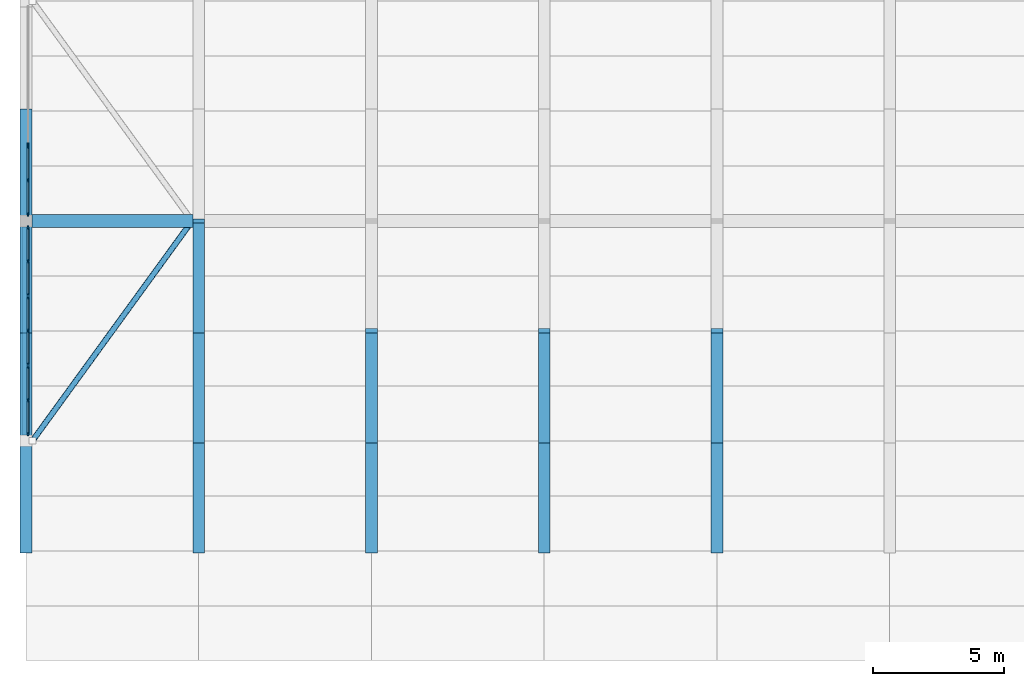
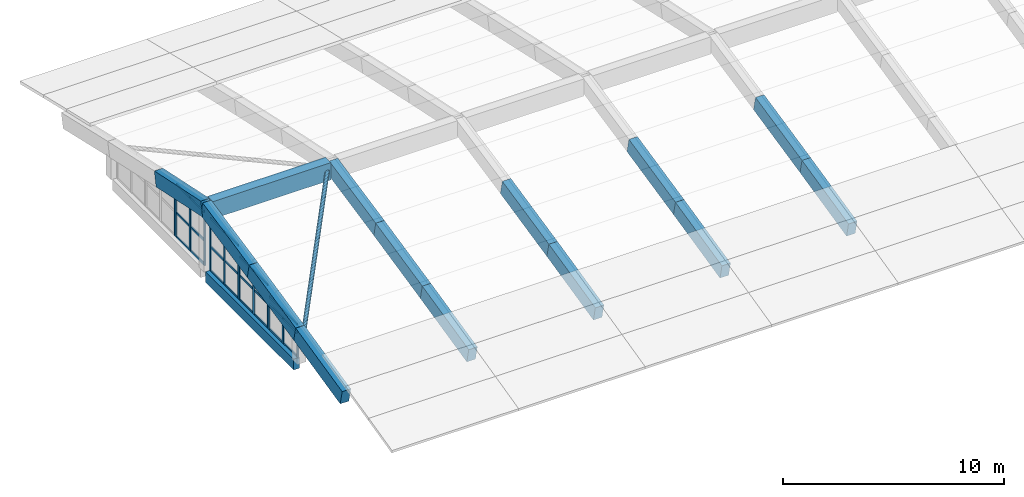
# One storey, part 3 of 47: 38 members, 15 beams, 5 elements without a shape of their own.
"""IFC4 building model written with IfcOpenShell, lengths in metres."""

import ifcopenshell
import ifcopenshell.guid

model = None  # the IFC model being written
_history = None  # IfcOwnerHistory: only IFC2X3 demands one
_inside = {}  # id of a spatial element -> (the spatial element, [elements in it])
_under = {}  # id of a project, library or spatial element -> (it, [spatial elements below it])
_declared = {}  # id of a project -> (the project, [libraries it declares])
_typed = {}  # id of a type object -> (the type object, [elements of that type])
_made_of = {}  # id of a material, layer set ... -> (it, [elements and type objects made of it])


def new_model(schema):
    """Start an empty IFC model of exactly this schema.

    Asked for "IFC4X3", IfcOpenShell would pick the latest addendum, in which some entities
    have other attributes; the version numbers below select the first issue.
    IFC2X3 requires an IfcOwnerHistory on every rooted entity: one is made here for all.
    """
    global model, _history
    if schema == "IFC4X3":
        model = ifcopenshell.file(schema_version=(4, 3, 0, 0))
    else:
        model = ifcopenshell.file(schema=schema)
    _inside.clear()
    _under.clear()
    _declared.clear()
    _typed.clear()
    _made_of.clear()
    _history = None
    if model.schema == "IFC2X3":
        org = make("IfcOrganization", Name="unknown")
        user = make(
            "IfcPersonAndOrganization",
            ThePerson=make("IfcPerson", FamilyName="unknown"),
            TheOrganization=org,
        )
        app = make(
            "IfcApplication",
            ApplicationDeveloper=org,
            Version="unknown",
            ApplicationFullName="unknown",
            ApplicationIdentifier="unknown",
        )
        _history = make(
            "IfcOwnerHistory",
            OwningUser=user,
            OwningApplication=app,
            ChangeAction="ADDED",
            CreationDate=0,
        )
    return model


def make(cls, **values):
    """One entity of the class cls with the attributes given. An attribute that is None is left unset."""
    return model.create_entity(
        cls, **{name: value for name, value in values.items() if value is not None}
    )


def rooted(cls, **values):
    """An entity with a GlobalId (a new one), such as an element, a storey or a relation."""
    return make(cls, GlobalId=ifcopenshell.guid.new(), OwnerHistory=_history, **values)


def si_unit(unit_type, name, prefix=None):
    """IfcSIUnit, for example si_unit("LENGTHUNIT", "METRE", prefix="MILLI")."""
    return make("IfcSIUnit", UnitType=unit_type, Prefix=prefix, Name=name)


def assignment(units):
    """IfcUnitAssignment: the units of a project."""
    return None if units is None else make("IfcUnitAssignment", Units=units)


def point(xyz):
    """IfcCartesianPoint."""
    return None if xyz is None else make("IfcCartesianPoint", Coordinates=xyz)


def direction(xyz):
    """IfcDirection."""
    return None if xyz is None else make("IfcDirection", DirectionRatios=xyz)


def frame(location, z_axis=None, x_axis=None):
    """IfcAxis2Placement3D, a coordinate frame: its origin and axes. An axis left out is left unset."""
    return make(
        "IfcAxis2Placement3D",
        Location=point(location),
        Axis=direction(z_axis),
        RefDirection=direction(x_axis),
    )


def frame_2d(location, x_axis=None):
    """IfcAxis2Placement2D, a coordinate frame in the plane: its origin and x axis."""
    return make(
        "IfcAxis2Placement2D", Location=point(location), RefDirection=direction(x_axis)
    )


def origin():
    """The frame at (0, 0, 0) with its axes left unset."""
    return frame((0.0, 0.0, 0.0))


def origin_2d():
    """The frame at (0, 0) in the plane with its x axis left unset."""
    return frame_2d((0.0, 0.0))


def place(relative_to, where):
    """IfcLocalPlacement: puts the frame where relative to a parent placement (None: the world)."""
    return make(
        "IfcLocalPlacement", PlacementRelTo=relative_to, RelativePlacement=where
    )


def context(
    kind, dimensions, precision=None, world=None, true_north=None, identifier=None
):
    """IfcGeometricRepresentationContext, for example the 3D "Model" context."""
    return make(
        "IfcGeometricRepresentationContext",
        ContextIdentifier=identifier,
        ContextType=kind,
        CoordinateSpaceDimension=dimensions,
        Precision=precision,
        WorldCoordinateSystem=world,
        TrueNorth=true_north,
    )


def subcontext(parent, identifier, kind, view, scale=None):
    """IfcGeometricRepresentationSubContext, for example "Body" below "Model"."""
    return make(
        "IfcGeometricRepresentationSubContext",
        ContextIdentifier=identifier,
        ContextType=kind,
        ParentContext=parent,
        TargetScale=scale,
        TargetView=view,
    )


def project(units=None, contexts=None):
    """IfcProject with its units and contexts."""
    return rooted(
        "IfcProject",
        Name="project",
        RepresentationContexts=contexts,
        UnitsInContext=assignment(units),
    )


def spatial(cls, under=None, at=None, **own):
    """A site, building, storey or space (cls), placed at a placement, below another one or the project."""
    s = rooted(cls, ObjectPlacement=at, **own)
    if under is not None:
        _under.setdefault(under.id(), (under, []))[1].append(s)
    return s


def profile(cls, at=None, kind="AREA", **sizes):
    """A parametric profile (cls). Its sizes go by their IFC names, for example OverallWidth=200.0."""
    return make(cls, ProfileType=kind, Position=at, **sizes)


def rectangle(**sizes):
    """IfcRectangleProfileDef."""
    return profile("IfcRectangleProfileDef", **sizes)


def hollow_circle(**sizes):
    """IfcCircleHollowProfileDef."""
    return profile("IfcCircleHollowProfileDef", **sizes)


def extrude(swept, where, along, depth):
    """IfcExtrudedAreaSolid: the profile swept, set in the frame where, extruded along a direction by depth."""
    return make(
        "IfcExtrudedAreaSolid",
        SweptArea=swept,
        Position=where,
        ExtrudedDirection=direction(along),
        Depth=depth,
    )


def shape(context_of_items, identifier, shape_type, items):
    """IfcShapeRepresentation: the items that make up one representation, for example the "Body"."""
    return make(
        "IfcShapeRepresentation",
        ContextOfItems=context_of_items,
        RepresentationIdentifier=identifier,
        RepresentationType=shape_type,
        Items=items,
    )


def material(Name=None, Category=None):
    """IfcMaterial."""
    return make("IfcMaterial", Name=Name, Category=Category)


def material_profile(
    of_material, cross_section, Name=None, Category=None, Priority=None
):
    """IfcMaterialProfile: a cross section and its material."""
    return make(
        "IfcMaterialProfile",
        Name=Name,
        Material=of_material,
        Profile=cross_section,
        Priority=Priority,
        Category=Category,
    )


def profile_set(profiles, Name=None, composite=None):
    """IfcMaterialProfileSet."""
    return make(
        "IfcMaterialProfileSet",
        Name=Name,
        MaterialProfiles=profiles,
        CompositeProfile=composite,
    )


def made_of(thing, what):
    """Note that an element or type object is made of a material, layer set ...; save() writes the relation."""
    if what is not None:
        _made_of.setdefault(what.id(), (what, []))[1].append(thing)
    return thing


def type_object(cls, material=None, **own):
    """A type object (cls), such as IfcWallType, which elements share."""
    return made_of(rooted(cls, **own), material)


def element(
    cls,
    number,
    at=None,
    inside=None,
    cuts=None,
    type_object=None,
    material=None,
    context=None,
    identifier="Body",
    shape_type=None,
    held_by="IfcProductDefinitionShape",
    body=None,
    shapes=None,
    **own,
):
    """One element of the class cls, such as IfcWall. Its Tag is "e" and its number.

    at: its placement. inside: the storey or other place that contains it. cuts: it is an
    opening in that element (IfcRelVoidsElement). A single representation is given by context,
    identifier, shape_type and body (its items); several are given by shapes. held_by: the class
    of the entity that holds the representations. save() writes the other relations.
    """
    e = rooted(cls, Tag="e%d" % number, ObjectPlacement=at, **own)
    if body is not None:
        shapes = [shape(context, identifier, shape_type, body)]
    if shapes is not None:
        e.Representation = make(held_by, Representations=shapes)
    if inside is not None:
        _inside.setdefault(inside.id(), (inside, []))[1].append(e)
    if cuts is not None:
        rooted(
            "IfcRelVoidsElement", RelatingBuildingElement=cuts, RelatedOpeningElement=e
        )
    if type_object is not None:
        _typed.setdefault(type_object.id(), (type_object, []))[1].append(e)
    return made_of(e, material)


def aggregate(whole, parts):
    """IfcRelAggregates: a whole, such as a stair, and the parts it consists of."""
    return rooted("IfcRelAggregates", RelatingObject=whole, RelatedObjects=parts)


def save(model, path):
    """Write the relations noted so far, then the file.

    IfcRelAggregates (storeys below a building ...), IfcRelContainedInSpatialStructure (elements
    in a storey), IfcRelDefinesByType, IfcRelAssociatesMaterial and IfcRelDeclares: one each for
    every whole, place, type object, material and project.
    """
    for whole, parts in _under.values():
        aggregate(whole, parts)
    for where, things in _inside.values():
        rooted(
            "IfcRelContainedInSpatialStructure",
            RelatedElements=things,
            RelatingStructure=where,
        )
    for kind, things in _typed.values():
        rooted("IfcRelDefinesByType", RelatedObjects=things, RelatingType=kind)
    for what, things in _made_of.values():
        rooted("IfcRelAssociatesMaterial", RelatedObjects=things, RelatingMaterial=what)
    for by, libraries in _declared.values():
        rooted("IfcRelDeclares", RelatingContext=by, RelatedDefinitions=libraries)
    model.write(path)


model = new_model("IFC4")

# Units and contexts
model_context = context("Model", 3, precision=1e-05, world=origin(), true_north=direction((0.0, 1.0)))
body_context = subcontext(model_context, "Body", "Model", "MODEL_VIEW")
ifc_project = project(units=[si_unit("LENGTHUNIT", "METRE"), si_unit("AREAUNIT", "SQUARE_METRE"), si_unit("VOLUMEUNIT", "CUBIC_METRE"), si_unit("PLANEANGLEUNIT", "RADIAN"), si_unit("MASSUNIT", "GRAM", prefix="KILO")], contexts=[model_context])

# Site, building, storey
site_placement = place(None, origin())
site = spatial("IfcSite", under=ifc_project, at=site_placement, CompositionType="ELEMENT")
building_placement = place(site_placement, origin())
building = spatial("IfcBuilding", under=site, at=building_placement, Name="Qaldarim Faculty of Natural and Applied Sciences", CompositionType="ELEMENT")
storey_placement = place(building_placement, frame((0.0, 0.0, 22.800048828125)))
storey = spatial("IfcBuildingStorey", under=building, at=storey_placement, Name="L05", CompositionType="ELEMENT", Elevation=22.800048828125)

# Curtain wall, members
ifc_material_1 = material(Name="Anodised aluminium AW-6063", Category="aluminium")
curtain_wall_type = type_object("IfcCurtainWallType", Name="CurtainWallSystem-M1500", PredefinedType="USERDEFINED", material=ifc_material_1)
curtain_wall_1_placement = place(storey_placement, origin())
curtain_wall_1 = element("IfcCurtainWall", 1, at=curtain_wall_1_placement, inside=storey, type_object=curtain_wall_type, Name="Curtain wall CW-GABLE-L05-W-Y06-1", ObjectType="STICK CURTAIN WALL", PredefinedType="USERDEFINED")
ifc_material_profile_1 = material_profile(ifc_material_1, rectangle(XDim=0.06005859375, YDim=0.14990234375, at=origin_2d()), Name="ALU-M60x150")
ifc_profile_set_1 = profile_set([ifc_material_profile_1], Name="Anodised aluminium AW-6063")
member_type_1 = type_object("IfcMemberType", Name="Mullion-ALU60x150", PredefinedType="MULLION", material=ifc_profile_set_1)
member_1_placement = place(storey_placement, frame((0.080078125, 44.8349609375, 0.0), z_axis=(0.0, 0.0, 1.0), x_axis=(1.0, 0.0, 0.0)))
member_1 = element("IfcMember", 2, at=member_1_placement, type_object=member_type_1, Name="Mullion 1 of CW-GABLE-L05-W-Y06-1", PredefinedType="MULLION", context=body_context, shape_type="SweptSolid", body=[
    extrude(rectangle(XDim=0.06005859375, YDim=0.14990234375, at=origin_2d()), origin(), (0.0, 0.0, 1.0), 1.829833984375),
])
member_2_placement = place(storey_placement, frame((0.080078125, 43.547607421875, 0.0), z_axis=(0.0, 0.0, 1.0), x_axis=(1.0, 0.0, 0.0)))
member_2 = element("IfcMember", 3, at=member_2_placement, type_object=member_type_1, Name="Mullion 2 of CW-GABLE-L05-W-Y06-1", PredefinedType="MULLION", context=body_context, shape_type="SweptSolid", body=[
    extrude(rectangle(XDim=0.06005859375, YDim=0.14990234375, at=origin_2d()), origin(), (0.0, 0.0, 1.0), 1.829833984375),
])
member_3_placement = place(storey_placement, frame((0.080078125, 42.260009765625, 0.0), z_axis=(0.0, 0.0, 1.0), x_axis=(1.0, 0.0, 0.0)))
member_3 = element("IfcMember", 4, at=member_3_placement, type_object=member_type_1, Name="Mullion 3 of CW-GABLE-L05-W-Y06-1", PredefinedType="MULLION", context=body_context, shape_type="SweptSolid", body=[
    extrude(rectangle(XDim=0.06005859375, YDim=0.14990234375, at=origin_2d()), origin(), (0.0, 0.0, 1.0), 1.829833984375),
])

curtain_wall_2_placement = place(storey_placement, origin())
curtain_wall_2 = element("IfcCurtainWall", 5, at=curtain_wall_2_placement, inside=storey, type_object=curtain_wall_type, Name="Curtain wall CW-GABLE-L05-W-Y06-2", ObjectType="STICK CURTAIN WALL", PredefinedType="USERDEFINED")
member_4_placement = place(storey_placement, frame((0.080078125, 47.489990234375, 0.0), z_axis=(0.0, 0.0, 1.0), x_axis=(1.0, 0.0, 0.0)))
member_4 = element("IfcMember", 6, at=member_4_placement, type_object=member_type_1, Name="Mullion 1 of CW-GABLE-L05-W-Y06-2", PredefinedType="MULLION", context=body_context, shape_type="SweptSolid", body=[
    extrude(rectangle(XDim=0.06005859375, YDim=0.14990234375, at=origin_2d()), origin(), (0.0, 0.0, 1.0), 2.39990234375),
])
member_5_placement = place(storey_placement, frame((0.080078125, 46.202392578125, 0.0), z_axis=(0.0, 0.0, 1.0), x_axis=(1.0, 0.0, 0.0)))
member_5 = element("IfcMember", 7, at=member_5_placement, type_object=member_type_1, Name="Mullion 2 of CW-GABLE-L05-W-Y06-2", PredefinedType="MULLION", context=body_context, shape_type="SweptSolid", body=[
    extrude(rectangle(XDim=0.06005859375, YDim=0.14990234375, at=origin_2d()), origin(), (0.0, 0.0, 1.0), 2.39990234375),
])
member_6_placement = place(storey_placement, frame((0.080078125, 44.9150390625, 0.0), z_axis=(0.0, 0.0, 1.0), x_axis=(1.0, 0.0, 0.0)))
member_6 = element("IfcMember", 8, at=member_6_placement, type_object=member_type_1, Name="Mullion 3 of CW-GABLE-L05-W-Y06-2", PredefinedType="MULLION", context=body_context, shape_type="SweptSolid", body=[
    extrude(rectangle(XDim=0.06005859375, YDim=0.14990234375, at=origin_2d()), origin(), (0.0, 0.0, 1.0), 2.39990234375),
])

curtain_wall_3_placement = place(storey_placement, origin())
curtain_wall_3 = element("IfcCurtainWall", 9, at=curtain_wall_3_placement, inside=storey, type_object=curtain_wall_type, Name="Curtain wall CW-GABLE-L05-W-Y06-3", ObjectType="STICK CURTAIN WALL", PredefinedType="USERDEFINED")
member_7_placement = place(storey_placement, frame((0.080078125, 50.139892578125, 0.0), z_axis=(0.0, 0.0, 1.0), x_axis=(1.0, 0.0, 0.0)))
member_7 = element("IfcMember", 10, at=member_7_placement, type_object=member_type_1, Name="Mullion 1 of CW-GABLE-L05-W-Y06-3", PredefinedType="MULLION", context=body_context, shape_type="SweptSolid", body=[
    extrude(rectangle(XDim=0.06005859375, YDim=0.14990234375, at=origin_2d()), origin(), (0.0, 0.0, 1.0), 2.949951171875),
])
member_8_placement = place(storey_placement, frame((0.080078125, 48.8525390625, 0.0), z_axis=(0.0, 0.0, 1.0), x_axis=(1.0, 0.0, 0.0)))
member_8 = element("IfcMember", 11, at=member_8_placement, type_object=member_type_1, Name="Mullion 2 of CW-GABLE-L05-W-Y06-3", PredefinedType="MULLION", context=body_context, shape_type="SweptSolid", body=[
    extrude(rectangle(XDim=0.06005859375, YDim=0.14990234375, at=origin_2d()), origin(), (0.0, 0.0, 1.0), 2.949951171875),
])
member_9_placement = place(storey_placement, frame((0.080078125, 47.56494140625, 0.0), z_axis=(0.0, 0.0, 1.0), x_axis=(1.0, 0.0, 0.0)))
member_9 = element("IfcMember", 12, at=member_9_placement, type_object=member_type_1, Name="Mullion 3 of CW-GABLE-L05-W-Y06-3", PredefinedType="MULLION", context=body_context, shape_type="SweptSolid", body=[
    extrude(rectangle(XDim=0.06005859375, YDim=0.14990234375, at=origin_2d()), origin(), (0.0, 0.0, 1.0), 2.949951171875),
])

curtain_wall_4_placement = place(storey_placement, origin())
curtain_wall_4 = element("IfcCurtainWall", 13, at=curtain_wall_4_placement, inside=storey, type_object=curtain_wall_type, Name="Curtain wall CW-GABLE-L05-W-Y07-1", ObjectType="STICK CURTAIN WALL", PredefinedType="USERDEFINED")
member_10_placement = place(storey_placement, frame((0.080078125, 53.235107421875, 0.0), z_axis=(0.0, 0.0, 1.0), x_axis=(1.0, 0.0, 0.0)))
member_10 = element("IfcMember", 14, at=member_10_placement, type_object=member_type_1, Name="Mullion 1 of CW-GABLE-L05-W-Y07-1", PredefinedType="MULLION", context=body_context, shape_type="SweptSolid", body=[
    extrude(rectangle(XDim=0.06005859375, YDim=0.14990234375, at=origin_2d()), origin(), (0.0, 0.0, 1.0), 2.949951171875),
])
member_11_placement = place(storey_placement, frame((0.080078125, 51.947509765625, 0.0), z_axis=(0.0, 0.0, 1.0), x_axis=(1.0, 0.0, 0.0)))
member_11 = element("IfcMember", 15, at=member_11_placement, type_object=member_type_1, Name="Mullion 2 of CW-GABLE-L05-W-Y07-1", PredefinedType="MULLION", context=body_context, shape_type="SweptSolid", body=[
    extrude(rectangle(XDim=0.06005859375, YDim=0.14990234375, at=origin_2d()), origin(), (0.0, 0.0, 1.0), 2.949951171875),
])
member_12_placement = place(storey_placement, frame((0.080078125, 50.659912109375, 0.0), z_axis=(0.0, 0.0, 1.0), x_axis=(1.0, 0.0, 0.0)))
member_12 = element("IfcMember", 16, at=member_12_placement, type_object=member_type_1, Name="Mullion 3 of CW-GABLE-L05-W-Y07-1", PredefinedType="MULLION", context=body_context, shape_type="SweptSolid", body=[
    extrude(rectangle(XDim=0.06005859375, YDim=0.14990234375, at=origin_2d()), origin(), (0.0, 0.0, 1.0), 2.949951171875),
])

# Curtain wall, member
curtain_wall_5_placement = place(storey_placement, origin())
curtain_wall_5 = element("IfcCurtainWall", 17, at=curtain_wall_5_placement, inside=storey, type_object=curtain_wall_type, Name="Curtain wall CW-GABLE-L05-W-Y07-2", ObjectType="STICK CURTAIN WALL", PredefinedType="USERDEFINED")
member_13_placement = place(storey_placement, frame((0.080078125, 53.31494140625, 0.0), z_axis=(0.0, 0.0, 1.0), x_axis=(1.0, 0.0, 0.0)))
member_13 = element("IfcMember", 18, at=member_13_placement, type_object=member_type_1, Name="Mullion 3 of CW-GABLE-L05-W-Y07-2", PredefinedType="MULLION", context=body_context, shape_type="SweptSolid", body=[
    extrude(rectangle(XDim=0.06005859375, YDim=0.14990234375, at=origin_2d()), origin(), (0.0, 0.0, 1.0), 2.39990234375),
])
aggregate(curtain_wall_5, [member_13])

# Beams
ifc_material_2 = material(Name="Concrete C50/60", Category="concrete")
ifc_material_profile_2 = material_profile(ifc_material_2, rectangle(XDim=0.449951171875, YDim=0.800048828125, at=origin_2d()), Name="RC-RIB450x800")
ifc_profile_set_2 = profile_set([ifc_material_profile_2], Name="Concrete C50/60")
beam_type_1 = type_object("IfcBeamType", Name="ShellArchRib-RC450x800", PredefinedType="BEAM", material=ifc_profile_set_2)
beam_1_placement = place(storey_placement, frame((0.0, 37.800048828125, 0.579833984375), z_axis=(0.0, 0.974847602774, 0.222872500245), x_axis=(-1.0, 0.0, 0.0)))
element("IfcBeam", 19, at=beam_1_placement, inside=storey, type_object=beam_type_1, Name="Shell arch rib 1 S segment 6", PredefinedType="BEAM", context=body_context, shape_type="SweptSolid", body=[
    extrude(rectangle(XDim=0.449951171875, YDim=0.800048828125, at=origin_2d()), origin(), (0.0, 0.0, 1.0), 4.308349609375),
])
beam_2_placement = place(storey_placement, frame((0.0, 42.0, 1.5400390625), z_axis=(0.0, 0.976842563823, 0.213959354792), x_axis=(-1.0, 0.0, 0.0)))
element("IfcBeam", 20, at=beam_2_placement, inside=storey, type_object=beam_type_1, Name="Shell arch rib 1 S segment 7", PredefinedType="BEAM", context=body_context, shape_type="SweptSolid", body=[
    extrude(rectangle(XDim=0.449951171875, YDim=0.800048828125, at=origin_2d()), origin(), (0.0, 0.0, 1.0), 4.299560546875),
])
beam_3_placement = place(storey_placement, frame((0.0, 46.199951171875, 2.4599609375), z_axis=(0.0, 0.978752138035, 0.205046951432), x_axis=(-1.0, 0.0, 0.0)))
element("IfcBeam", 21, at=beam_3_placement, inside=storey, type_object=beam_type_1, Name="Shell arch rib 1 S segment 8", PredefinedType="BEAM", context=body_context, shape_type="SweptSolid", body=[
    extrude(rectangle(XDim=0.449951171875, YDim=0.800048828125, at=origin_2d()), origin(), (0.0, 0.0, 1.0), 4.291015625),
])
beam_4_placement = place(storey_placement, frame((0.0, 54.60009765625, 2.4599609375), z_axis=(0.0, -0.978754529913, 0.205035533934), x_axis=(1.0, 0.0, 0.0)))
element("IfcBeam", 22, at=beam_4_placement, inside=storey, type_object=beam_type_1, Name="Shell arch rib 1 N segment 8", PredefinedType="BEAM", context=body_context, shape_type="SweptSolid", body=[
    extrude(rectangle(XDim=0.449951171875, YDim=0.800048828125, at=origin_2d()), origin(), (0.0, 0.0, 1.0), 4.291259765625),
])
beam_5_placement = place(storey_placement, frame((6.60009765625, 37.800048828125, 0.579833984375), z_axis=(0.0, 0.974847602774, 0.222872500245), x_axis=(-1.0, 0.0, 0.0)))
element("IfcBeam", 23, at=beam_5_placement, inside=storey, type_object=beam_type_1, Name="Shell arch rib 2 S segment 6", PredefinedType="BEAM", context=body_context, shape_type="SweptSolid", body=[
    extrude(rectangle(XDim=0.449951171875, YDim=0.800048828125, at=origin_2d()), origin(), (0.0, 0.0, 1.0), 4.308349609375),
])
beam_6_placement = place(storey_placement, frame((6.60009765625, 42.0, 1.5400390625), z_axis=(0.0, 0.976842563823, 0.213959354792), x_axis=(-1.0, 0.0, 0.0)))
element("IfcBeam", 24, at=beam_6_placement, inside=storey, type_object=beam_type_1, Name="Shell arch rib 2 S segment 7", PredefinedType="BEAM", context=body_context, shape_type="SweptSolid", body=[
    extrude(rectangle(XDim=0.449951171875, YDim=0.800048828125, at=origin_2d()), origin(), (0.0, 0.0, 1.0), 4.299560546875),
])
beam_7_placement = place(storey_placement, frame((6.60009765625, 46.199951171875, 2.4599609375), z_axis=(0.0, 0.978752138035, 0.205046951432), x_axis=(-1.0, 0.0, 0.0)))
element("IfcBeam", 25, at=beam_7_placement, inside=storey, type_object=beam_type_1, Name="Shell arch rib 2 S segment 8", PredefinedType="BEAM", context=body_context, shape_type="SweptSolid", body=[
    extrude(rectangle(XDim=0.449951171875, YDim=0.800048828125, at=origin_2d()), origin(), (0.0, 0.0, 1.0), 4.291015625),
])
beam_8_placement = place(storey_placement, frame((13.199951171875, 37.800048828125, 0.579833984375), z_axis=(0.0, 0.974847602774, 0.222872500245), x_axis=(-1.0, 0.0, 0.0)))
element("IfcBeam", 26, at=beam_8_placement, inside=storey, type_object=beam_type_1, Name="Shell arch rib 3 S segment 6", PredefinedType="BEAM", context=body_context, shape_type="SweptSolid", body=[
    extrude(rectangle(XDim=0.449951171875, YDim=0.800048828125, at=origin_2d()), origin(), (0.0, 0.0, 1.0), 4.308349609375),
])
beam_9_placement = place(storey_placement, frame((13.199951171875, 42.0, 1.5400390625), z_axis=(0.0, 0.976842563823, 0.213959354792), x_axis=(-1.0, 0.0, 0.0)))
element("IfcBeam", 27, at=beam_9_placement, inside=storey, type_object=beam_type_1, Name="Shell arch rib 3 S segment 7", PredefinedType="BEAM", context=body_context, shape_type="SweptSolid", body=[
    extrude(rectangle(XDim=0.449951171875, YDim=0.800048828125, at=origin_2d()), origin(), (0.0, 0.0, 1.0), 4.299560546875),
])
beam_10_placement = place(storey_placement, frame((19.800048828125, 37.800048828125, 0.579833984375), z_axis=(0.0, 0.974847602774, 0.222872500245), x_axis=(-1.0, 0.0, 0.0)))
element("IfcBeam", 28, at=beam_10_placement, inside=storey, type_object=beam_type_1, Name="Shell arch rib 4 S segment 6", PredefinedType="BEAM", context=body_context, shape_type="SweptSolid", body=[
    extrude(rectangle(XDim=0.449951171875, YDim=0.800048828125, at=origin_2d()), origin(), (0.0, 0.0, 1.0), 4.308349609375),
])
beam_11_placement = place(storey_placement, frame((19.800048828125, 42.0, 1.5400390625), z_axis=(0.0, 0.976842563823, 0.213959354792), x_axis=(-1.0, 0.0, 0.0)))
element("IfcBeam", 29, at=beam_11_placement, inside=storey, type_object=beam_type_1, Name="Shell arch rib 4 S segment 7", PredefinedType="BEAM", context=body_context, shape_type="SweptSolid", body=[
    extrude(rectangle(XDim=0.449951171875, YDim=0.800048828125, at=origin_2d()), origin(), (0.0, 0.0, 1.0), 4.299560546875),
])
beam_12_placement = place(storey_placement, frame((26.39990234375, 37.800048828125, 0.579833984375), z_axis=(0.0, 0.974847602774, 0.222872500245), x_axis=(-1.0, 0.0, 0.0)))
element("IfcBeam", 30, at=beam_12_placement, inside=storey, type_object=beam_type_1, Name="Shell arch rib 5 S segment 6", PredefinedType="BEAM", context=body_context, shape_type="SweptSolid", body=[
    extrude(rectangle(XDim=0.449951171875, YDim=0.800048828125, at=origin_2d()), origin(), (0.0, 0.0, 1.0), 4.308349609375),
])
beam_13_placement = place(storey_placement, frame((26.39990234375, 42.0, 1.5400390625), z_axis=(0.0, 0.976842563823, 0.213959354792), x_axis=(-1.0, 0.0, 0.0)))
element("IfcBeam", 31, at=beam_13_placement, inside=storey, type_object=beam_type_1, Name="Shell arch rib 5 S segment 7", PredefinedType="BEAM", context=body_context, shape_type="SweptSolid", body=[
    extrude(rectangle(XDim=0.449951171875, YDim=0.800048828125, at=origin_2d()), origin(), (0.0, 0.0, 1.0), 4.299560546875),
])
ifc_material_profile_3 = material_profile(ifc_material_2, rectangle(XDim=0.5, YDim=0.949951171875, at=origin_2d()), Name="RC-EB500x950")
ifc_profile_set_3 = profile_set([ifc_material_profile_3], Name="Concrete C50/60")
beam_type_2 = type_object("IfcBeamType", Name="ShellRidgeBeam-RC500x950", PredefinedType="BEAM", material=ifc_profile_set_3)
beam_14_placement = place(storey_placement, frame((0.22509765625, 50.39990234375, 3.27001953125), z_axis=(1.0, 0.0, 0.0), x_axis=(0.0, 1.0, 0.0)))
element("IfcBeam", 32, at=beam_14_placement, inside=storey, type_object=beam_type_2, Name="Shell crown ridge beam bay 1", PredefinedType="BEAM", context=body_context, shape_type="SweptSolid", body=[
    extrude(rectangle(XDim=0.5, YDim=0.949951171875, at=origin_2d()), origin(), (0.0, 0.0, 1.0), 6.14990234375),
])

# Member
ifc_material_3 = material(Name="Structural steel S355", Category="steel")
ifc_material_profile_4 = material_profile(ifc_material_3, hollow_circle(Radius=0.109619140625, WallThickness=0.012451171875, at=origin_2d()), Name="CHS 219.1x12.5")
ifc_profile_set_4 = profile_set([ifc_material_profile_4], Name="Structural steel S355")
member_type_2 = type_object("IfcMemberType", Name="ShellStrut-CHS219x12-5", PredefinedType="STRUT", material=ifc_profile_set_4)
member_14_placement = place(storey_placement, frame((0.25, 42.0, 1.5400390625), z_axis=(0.57897257229, 0.797251673825, 0.170823093049), x_axis=(-0.809144712888, 0.587609422665, 0.0)))
element("IfcMember", 33, at=member_14_placement, inside=storey, type_object=member_type_2, Name="Shell wind strut bay 1 S4", PredefinedType="STRUT", context=body_context, shape_type="SweptSolid", body=[
    extrude(hollow_circle(Radius=0.109619140625, WallThickness=0.012451171875, at=origin_2d()), origin(), (0.0, 0.0, 1.0), 10.5361328125),
])

# Beam
ifc_material_4 = material(Name="Precast concrete C40/50", Category="concrete")
ifc_material_profile_5 = material_profile(ifc_material_4, rectangle(XDim=0.300048828125, YDim=0.60009765625, at=origin_2d()), Name="RC-SP300x600")
ifc_profile_set_5 = profile_set([ifc_material_profile_5], Name="Precast concrete C40/50")
beam_type_3 = type_object("IfcBeamType", Name="SpandrelBeam-RC300x600", PredefinedType="SPANDREL", material=ifc_profile_set_5)
beam_15_placement = place(storey_placement, frame((0.0, 42.22509765625, -0.300048828125), z_axis=(0.0, 1.0, 0.0), x_axis=(-1.0, 0.0, 0.0)))
element("IfcBeam", 34, at=beam_15_placement, inside=storey, type_object=beam_type_3, Name="Shell crown gable tie beam X01/Y06", PredefinedType="SPANDREL", context=body_context, shape_type="SweptSolid", body=[
    extrude(rectangle(XDim=0.300048828125, YDim=0.60009765625, at=origin_2d()), origin(), (0.0, 0.0, 1.0), 7.949951171875),
])

# Member
ifc_material_profile_6 = material_profile(ifc_material_1, rectangle(XDim=0.06005859375, YDim=0.1201171875, at=origin_2d()), Name="ALU-T60x120")
ifc_profile_set_6 = profile_set([ifc_material_profile_6], Name="Anodised aluminium AW-6063")
member_type_3 = type_object("IfcMemberType", Name="Transom-ALU60x120", PredefinedType="USERDEFINED", material=ifc_profile_set_6)
member_15_placement = place(storey_placement, frame((0.080078125, 44.804931640625, 0.030029296875), z_axis=(0.0, -1.0, 0.0), x_axis=(1.0, 0.0, 0.0)))
member_15 = element("IfcMember", 35, at=member_15_placement, type_object=member_type_3, Name="Transom 1-1 of CW-GABLE-L05-W-Y06-1", ObjectType="TRANSOM", PredefinedType="USERDEFINED", context=body_context, shape_type="SweptSolid", body=[
    extrude(rectangle(XDim=0.06005859375, YDim=0.1201171875, at=origin_2d()), origin(), (0.0, 0.0, 1.0), 1.2275390625),
])

member_16_placement = place(storey_placement, frame((0.080078125, 44.804931640625, 1.349853515625), z_axis=(0.0, -1.0, 0.0), x_axis=(1.0, 0.0, 0.0)))
member_16 = element("IfcMember", 36, at=member_16_placement, type_object=member_type_3, Name="Transom 1-2 of CW-GABLE-L05-W-Y06-1", ObjectType="TRANSOM", PredefinedType="USERDEFINED", context=body_context, shape_type="SweptSolid", body=[
    extrude(rectangle(XDim=0.06005859375, YDim=0.1201171875, at=origin_2d()), origin(), (0.0, 0.0, 1.0), 1.2275390625),
])

member_17_placement = place(storey_placement, frame((0.080078125, 44.804931640625, 1.800048828125), z_axis=(0.0, -1.0, 0.0), x_axis=(1.0, 0.0, 0.0)))
member_17 = element("IfcMember", 37, at=member_17_placement, type_object=member_type_3, Name="Transom 1-3 of CW-GABLE-L05-W-Y06-1", ObjectType="TRANSOM", PredefinedType="USERDEFINED", context=body_context, shape_type="SweptSolid", body=[
    extrude(rectangle(XDim=0.06005859375, YDim=0.1201171875, at=origin_2d()), origin(), (0.0, 0.0, 1.0), 1.2275390625),
])

member_18_placement = place(storey_placement, frame((0.080078125, 43.517578125, 0.030029296875), z_axis=(0.0, -1.0, 0.0), x_axis=(1.0, 0.0, 0.0)))
member_18 = element("IfcMember", 38, at=member_18_placement, type_object=member_type_3, Name="Transom 2-1 of CW-GABLE-L05-W-Y06-1", ObjectType="TRANSOM", PredefinedType="USERDEFINED", context=body_context, shape_type="SweptSolid", body=[
    extrude(rectangle(XDim=0.06005859375, YDim=0.1201171875, at=origin_2d()), origin(), (0.0, 0.0, 1.0), 1.2275390625),
])

member_19_placement = place(storey_placement, frame((0.080078125, 43.517578125, 1.349853515625), z_axis=(0.0, -1.0, 0.0), x_axis=(1.0, 0.0, 0.0)))
member_19 = element("IfcMember", 39, at=member_19_placement, type_object=member_type_3, Name="Transom 2-2 of CW-GABLE-L05-W-Y06-1", ObjectType="TRANSOM", PredefinedType="USERDEFINED", context=body_context, shape_type="SweptSolid", body=[
    extrude(rectangle(XDim=0.06005859375, YDim=0.1201171875, at=origin_2d()), origin(), (0.0, 0.0, 1.0), 1.2275390625),
])

member_20_placement = place(storey_placement, frame((0.080078125, 43.517578125, 1.800048828125), z_axis=(0.0, -1.0, 0.0), x_axis=(1.0, 0.0, 0.0)))
member_20 = element("IfcMember", 40, at=member_20_placement, type_object=member_type_3, Name="Transom 2-3 of CW-GABLE-L05-W-Y06-1", ObjectType="TRANSOM", PredefinedType="USERDEFINED", context=body_context, shape_type="SweptSolid", body=[
    extrude(rectangle(XDim=0.06005859375, YDim=0.1201171875, at=origin_2d()), origin(), (0.0, 0.0, 1.0), 1.2275390625),
])

aggregate(curtain_wall_1, [member_1, member_2, member_3, member_15, member_16, member_17, member_18, member_19, member_20])

member_21_placement = place(storey_placement, frame((0.080078125, 47.4599609375, 0.030029296875), z_axis=(0.0, -1.0, 0.0), x_axis=(1.0, 0.0, 0.0)))
member_21 = element("IfcMember", 41, at=member_21_placement, type_object=member_type_3, Name="Transom 1-1 of CW-GABLE-L05-W-Y06-2", ObjectType="TRANSOM", PredefinedType="USERDEFINED", context=body_context, shape_type="SweptSolid", body=[
    extrude(rectangle(XDim=0.06005859375, YDim=0.1201171875, at=origin_2d()), origin(), (0.0, 0.0, 1.0), 1.2275390625),
])

member_22_placement = place(storey_placement, frame((0.080078125, 47.4599609375, 1.349853515625), z_axis=(0.0, -1.0, 0.0), x_axis=(1.0, 0.0, 0.0)))
member_22 = element("IfcMember", 42, at=member_22_placement, type_object=member_type_3, Name="Transom 1-2 of CW-GABLE-L05-W-Y06-2", ObjectType="TRANSOM", PredefinedType="USERDEFINED", context=body_context, shape_type="SweptSolid", body=[
    extrude(rectangle(XDim=0.06005859375, YDim=0.1201171875, at=origin_2d()), origin(), (0.0, 0.0, 1.0), 1.2275390625),
])

member_23_placement = place(storey_placement, frame((0.080078125, 47.4599609375, 2.369873046875), z_axis=(0.0, -1.0, 0.0), x_axis=(1.0, 0.0, 0.0)))
member_23 = element("IfcMember", 43, at=member_23_placement, type_object=member_type_3, Name="Transom 1-3 of CW-GABLE-L05-W-Y06-2", ObjectType="TRANSOM", PredefinedType="USERDEFINED", context=body_context, shape_type="SweptSolid", body=[
    extrude(rectangle(XDim=0.06005859375, YDim=0.1201171875, at=origin_2d()), origin(), (0.0, 0.0, 1.0), 1.2275390625),
])

member_24_placement = place(storey_placement, frame((0.080078125, 46.172607421875, 0.030029296875), z_axis=(0.0, -1.0, 0.0), x_axis=(1.0, 0.0, 0.0)))
member_24 = element("IfcMember", 44, at=member_24_placement, type_object=member_type_3, Name="Transom 2-1 of CW-GABLE-L05-W-Y06-2", ObjectType="TRANSOM", PredefinedType="USERDEFINED", context=body_context, shape_type="SweptSolid", body=[
    extrude(rectangle(XDim=0.06005859375, YDim=0.1201171875, at=origin_2d()), origin(), (0.0, 0.0, 1.0), 1.2275390625),
])

member_25_placement = place(storey_placement, frame((0.080078125, 46.172607421875, 1.349853515625), z_axis=(0.0, -1.0, 0.0), x_axis=(1.0, 0.0, 0.0)))
member_25 = element("IfcMember", 45, at=member_25_placement, type_object=member_type_3, Name="Transom 2-2 of CW-GABLE-L05-W-Y06-2", ObjectType="TRANSOM", PredefinedType="USERDEFINED", context=body_context, shape_type="SweptSolid", body=[
    extrude(rectangle(XDim=0.06005859375, YDim=0.1201171875, at=origin_2d()), origin(), (0.0, 0.0, 1.0), 1.2275390625),
])

member_26_placement = place(storey_placement, frame((0.080078125, 46.172607421875, 2.369873046875), z_axis=(0.0, -1.0, 0.0), x_axis=(1.0, 0.0, 0.0)))
member_26 = element("IfcMember", 46, at=member_26_placement, type_object=member_type_3, Name="Transom 2-3 of CW-GABLE-L05-W-Y06-2", ObjectType="TRANSOM", PredefinedType="USERDEFINED", context=body_context, shape_type="SweptSolid", body=[
    extrude(rectangle(XDim=0.06005859375, YDim=0.1201171875, at=origin_2d()), origin(), (0.0, 0.0, 1.0), 1.2275390625),
])

aggregate(curtain_wall_2, [member_4, member_5, member_6, member_21, member_22, member_23, member_24, member_25, member_26])

member_27_placement = place(storey_placement, frame((0.080078125, 50.110107421875, 0.030029296875), z_axis=(0.0, -1.0, 0.0), x_axis=(1.0, 0.0, 0.0)))
member_27 = element("IfcMember", 47, at=member_27_placement, type_object=member_type_3, Name="Transom 1-1 of CW-GABLE-L05-W-Y06-3", ObjectType="TRANSOM", PredefinedType="USERDEFINED", context=body_context, shape_type="SweptSolid", body=[
    extrude(rectangle(XDim=0.06005859375, YDim=0.1201171875, at=origin_2d()), origin(), (0.0, 0.0, 1.0), 1.2275390625),
])

member_28_placement = place(storey_placement, frame((0.080078125, 50.110107421875, 1.349853515625), z_axis=(0.0, -1.0, 0.0), x_axis=(1.0, 0.0, 0.0)))
member_28 = element("IfcMember", 48, at=member_28_placement, type_object=member_type_3, Name="Transom 1-2 of CW-GABLE-L05-W-Y06-3", ObjectType="TRANSOM", PredefinedType="USERDEFINED", context=body_context, shape_type="SweptSolid", body=[
    extrude(rectangle(XDim=0.06005859375, YDim=0.1201171875, at=origin_2d()), origin(), (0.0, 0.0, 1.0), 1.2275390625),
])

member_29_placement = place(storey_placement, frame((0.080078125, 50.110107421875, 2.919921875), z_axis=(0.0, -1.0, 0.0), x_axis=(1.0, 0.0, 0.0)))
member_29 = element("IfcMember", 49, at=member_29_placement, type_object=member_type_3, Name="Transom 1-3 of CW-GABLE-L05-W-Y06-3", ObjectType="TRANSOM", PredefinedType="USERDEFINED", context=body_context, shape_type="SweptSolid", body=[
    extrude(rectangle(XDim=0.06005859375, YDim=0.1201171875, at=origin_2d()), origin(), (0.0, 0.0, 1.0), 1.2275390625),
])

member_30_placement = place(storey_placement, frame((0.080078125, 48.822509765625, 0.030029296875), z_axis=(0.0, -1.0, 0.0), x_axis=(1.0, 0.0, 0.0)))
member_30 = element("IfcMember", 50, at=member_30_placement, type_object=member_type_3, Name="Transom 2-1 of CW-GABLE-L05-W-Y06-3", ObjectType="TRANSOM", PredefinedType="USERDEFINED", context=body_context, shape_type="SweptSolid", body=[
    extrude(rectangle(XDim=0.06005859375, YDim=0.1201171875, at=origin_2d()), origin(), (0.0, 0.0, 1.0), 1.2275390625),
])

member_31_placement = place(storey_placement, frame((0.080078125, 48.822509765625, 1.349853515625), z_axis=(0.0, -1.0, 0.0), x_axis=(1.0, 0.0, 0.0)))
member_31 = element("IfcMember", 51, at=member_31_placement, type_object=member_type_3, Name="Transom 2-2 of CW-GABLE-L05-W-Y06-3", ObjectType="TRANSOM", PredefinedType="USERDEFINED", context=body_context, shape_type="SweptSolid", body=[
    extrude(rectangle(XDim=0.06005859375, YDim=0.1201171875, at=origin_2d()), origin(), (0.0, 0.0, 1.0), 1.2275390625),
])

member_32_placement = place(storey_placement, frame((0.080078125, 48.822509765625, 2.919921875), z_axis=(0.0, -1.0, 0.0), x_axis=(1.0, 0.0, 0.0)))
member_32 = element("IfcMember", 52, at=member_32_placement, type_object=member_type_3, Name="Transom 2-3 of CW-GABLE-L05-W-Y06-3", ObjectType="TRANSOM", PredefinedType="USERDEFINED", context=body_context, shape_type="SweptSolid", body=[
    extrude(rectangle(XDim=0.06005859375, YDim=0.1201171875, at=origin_2d()), origin(), (0.0, 0.0, 1.0), 1.2275390625),
])

aggregate(curtain_wall_3, [member_7, member_8, member_9, member_27, member_28, member_29, member_30, member_31, member_32])

member_33_placement = place(storey_placement, frame((0.080078125, 53.205078125, 0.030029296875), z_axis=(0.0, -1.0, 0.0), x_axis=(1.0, 0.0, 0.0)))
member_33 = element("IfcMember", 53, at=member_33_placement, type_object=member_type_3, Name="Transom 1-1 of CW-GABLE-L05-W-Y07-1", ObjectType="TRANSOM", PredefinedType="USERDEFINED", context=body_context, shape_type="SweptSolid", body=[
    extrude(rectangle(XDim=0.06005859375, YDim=0.1201171875, at=origin_2d()), origin(), (0.0, 0.0, 1.0), 1.2275390625),
])

member_34_placement = place(storey_placement, frame((0.080078125, 53.205078125, 1.349853515625), z_axis=(0.0, -1.0, 0.0), x_axis=(1.0, 0.0, 0.0)))
member_34 = element("IfcMember", 54, at=member_34_placement, type_object=member_type_3, Name="Transom 1-2 of CW-GABLE-L05-W-Y07-1", ObjectType="TRANSOM", PredefinedType="USERDEFINED", context=body_context, shape_type="SweptSolid", body=[
    extrude(rectangle(XDim=0.06005859375, YDim=0.1201171875, at=origin_2d()), origin(), (0.0, 0.0, 1.0), 1.2275390625),
])

member_35_placement = place(storey_placement, frame((0.080078125, 53.205078125, 2.919921875), z_axis=(0.0, -1.0, 0.0), x_axis=(1.0, 0.0, 0.0)))
member_35 = element("IfcMember", 55, at=member_35_placement, type_object=member_type_3, Name="Transom 1-3 of CW-GABLE-L05-W-Y07-1", ObjectType="TRANSOM", PredefinedType="USERDEFINED", context=body_context, shape_type="SweptSolid", body=[
    extrude(rectangle(XDim=0.06005859375, YDim=0.1201171875, at=origin_2d()), origin(), (0.0, 0.0, 1.0), 1.2275390625),
])

member_36_placement = place(storey_placement, frame((0.080078125, 51.91748046875, 0.030029296875), z_axis=(0.0, -1.0, 0.0), x_axis=(1.0, 0.0, 0.0)))
member_36 = element("IfcMember", 56, at=member_36_placement, type_object=member_type_3, Name="Transom 2-1 of CW-GABLE-L05-W-Y07-1", ObjectType="TRANSOM", PredefinedType="USERDEFINED", context=body_context, shape_type="SweptSolid", body=[
    extrude(rectangle(XDim=0.06005859375, YDim=0.1201171875, at=origin_2d()), origin(), (0.0, 0.0, 1.0), 1.2275390625),
])

member_37_placement = place(storey_placement, frame((0.080078125, 51.91748046875, 1.349853515625), z_axis=(0.0, -1.0, 0.0), x_axis=(1.0, 0.0, 0.0)))
member_37 = element("IfcMember", 57, at=member_37_placement, type_object=member_type_3, Name="Transom 2-2 of CW-GABLE-L05-W-Y07-1", ObjectType="TRANSOM", PredefinedType="USERDEFINED", context=body_context, shape_type="SweptSolid", body=[
    extrude(rectangle(XDim=0.06005859375, YDim=0.1201171875, at=origin_2d()), origin(), (0.0, 0.0, 1.0), 1.2275390625),
])

member_38_placement = place(storey_placement, frame((0.080078125, 51.91748046875, 2.919921875), z_axis=(0.0, -1.0, 0.0), x_axis=(1.0, 0.0, 0.0)))
member_38 = element("IfcMember", 58, at=member_38_placement, type_object=member_type_3, Name="Transom 2-3 of CW-GABLE-L05-W-Y07-1", ObjectType="TRANSOM", PredefinedType="USERDEFINED", context=body_context, shape_type="SweptSolid", body=[
    extrude(rectangle(XDim=0.06005859375, YDim=0.1201171875, at=origin_2d()), origin(), (0.0, 0.0, 1.0), 1.2275390625),
])

aggregate(curtain_wall_4, [member_10, member_11, member_12, member_33, member_34, member_35, member_36, member_37, member_38])

save(model, "model.ifc")
